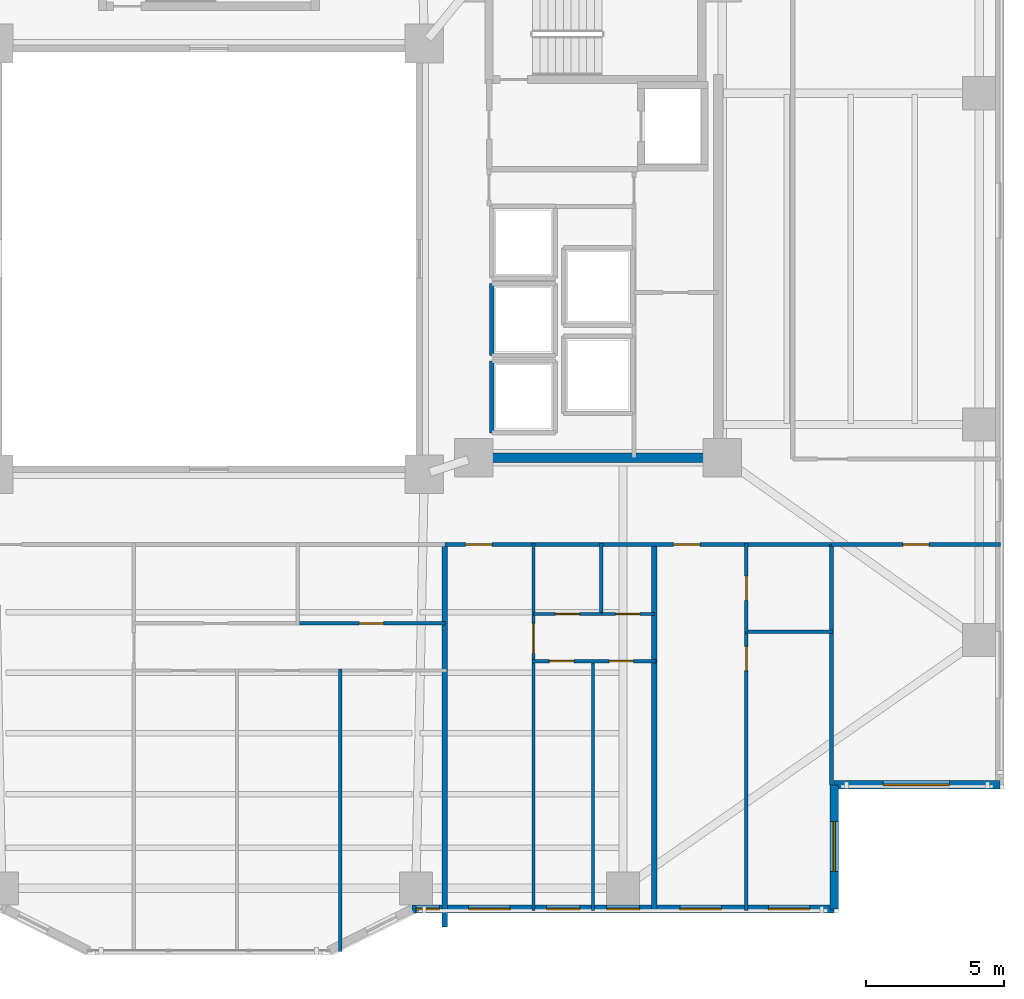
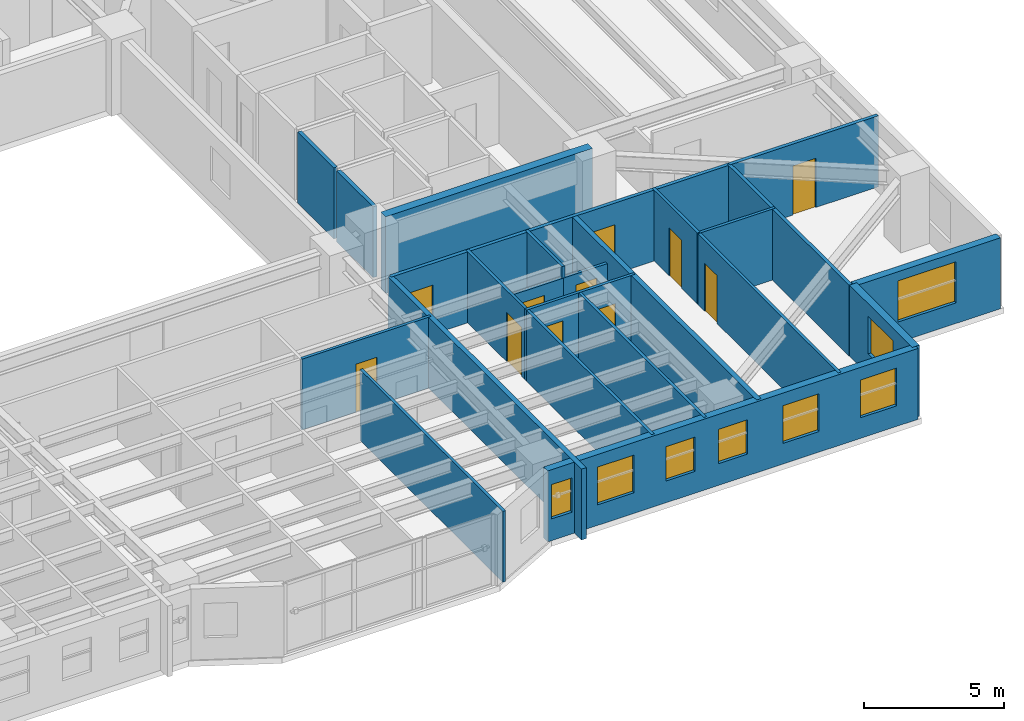
# One storey, part 12 of 21: 22 walls, 11 doors, 8 windows, 19 openings.
"""IFC4 building model written with IfcOpenShell, lengths in metres."""

from ifc_helpers import new_model, si_unit, direction, frame, frame_2d, origin, place, context, subcontext, project, spatial, rectangle, extrude, material, layer, layer_set, type_object, element, fill, save


model = new_model("IFC4")

# Units and contexts
model_context = context("Model", 3, precision=1e-05, world=origin(), true_north=direction((0.0, 1.0)))
body_context = subcontext(model_context, "Body", "Model", "MODEL_VIEW")
ifc_project = project(units=[si_unit("LENGTHUNIT", "METRE"), si_unit("AREAUNIT", "SQUARE_METRE"), si_unit("VOLUMEUNIT", "CUBIC_METRE"), si_unit("PLANEANGLEUNIT", "RADIAN"), si_unit("MASSUNIT", "GRAM", prefix="KILO")], contexts=[model_context])

# Site, building, storey
site_placement = place(None, origin())
site = spatial("IfcSite", under=ifc_project, at=site_placement, CompositionType="ELEMENT")
building_placement = place(site_placement, origin())
building = spatial("IfcBuilding", under=site, at=building_placement, Name="Tarnavaz Court Tower", CompositionType="ELEMENT")
storey_placement = place(building_placement, frame((0.0, 0.0, 37.39990234375)))
storey = spatial("IfcBuildingStorey", under=building, at=storey_placement, Name="L09", CompositionType="ELEMENT", Elevation=37.39990234375)

# Wall
ifc_material_1 = material(Name="Concrete C60/75", Category="concrete")
ifc_layer_1 = layer(ifc_material_1, 0.35009765625)
ifc_layer_set_1 = layer_set([ifc_layer_1], Name="Concrete C60/75")
wall_type_1 = type_object("IfcWallType", Name="WL-CORE-350-C60", PredefinedType="SHEAR", material=ifc_layer_set_1)
wall_1_placement = place(storey_placement, frame((10.074951171875, -7.199951171875, 0.0), z_axis=(0.0, 0.0, 1.0), x_axis=(1.0, 0.0, 0.0)))
element("IfcWall", 1, at=wall_1_placement, inside=storey, type_object=wall_type_1, Name="L09 East Core South Shear Wall 072", PredefinedType="SHEAR", context=body_context, shape_type="SweptSolid", body=[
    extrude(rectangle(XDim=8.550048828125, YDim=0.35009765625, at=frame_2d((4.27490234375, 0.0))), origin(), (0.0, 0.0, 1.0), 3.35009765625),
])

# Wall, opening, window
ifc_material_2 = material(Name="Precast Concrete C40/50", Category="concrete")
ifc_layer_2 = layer(ifc_material_2, 0.300048828125)
ifc_layer_set_2 = layer_set([ifc_layer_2], Name="Precast Concrete C40/50")
wall_type_2 = type_object("IfcWallType", Name="WL-EXT-300", PredefinedType="SOLIDWALL", material=ifc_layer_set_2)
wall_2_placement = place(storey_placement, frame((28.64990234375, -19.050048828125, 0.0), z_axis=(0.0, 0.0, 1.0), x_axis=(-1.0, 0.0, 0.0)))
wall_2 = element("IfcWall", 2, at=wall_2_placement, inside=storey, type_object=wall_type_2, Name="L09 Exterior Terracotta Facade Wall 13", PredefinedType="SOLIDWALL", context=body_context, shape_type="SweptSolid", body=[
    extrude(rectangle(XDim=6.0, YDim=0.300048828125, at=frame_2d((3.0, 0.0))), origin(), (0.0, 0.0, 1.0), 3.10009765625),
])
opening_1_placement = place(wall_2_placement, frame((1.824951171875, 0.0, 0.89990234375)))
opening_1 = element("IfcOpeningElement", 3, at=opening_1_placement, cuts=wall_2, Name="Opening W06", PredefinedType="OPENING", context=body_context, shape_type="SweptSolid", body=[
    extrude(rectangle(XDim=2.39990234375, YDim=1.800048828125, at=frame_2d((1.199951171875, 0.89990234375))), frame((0.0, 0.159912109375, 0.0), z_axis=(0.0, -1.0, 0.0), x_axis=(1.0, 0.0, 0.0)), (0.0, 0.0, 1.0), 0.320068359375),
])
ifc_material_3 = material(Name="Double-Glazed Solar Low-E Glass", Category="glass")
window_type_1 = type_object("IfcWindowType", Name="WN-APT-2400", PartitioningType="TRIPLE_PANEL_VERTICAL", PredefinedType="WINDOW", material=ifc_material_3)
window_1_placement = place(opening_1_placement, origin())
window_1 = element("IfcWindow", 4, at=window_1_placement, inside=storey, type_object=window_type_1, Name="L09 South-East Corner Reading Room Window", OverallHeight=1.800048828125, OverallWidth=2.39990234375, PartitioningType="SINGLE_PANEL", PredefinedType="WINDOW", context=body_context, shape_type="SweptSolid", body=[
    extrude(rectangle(XDim=2.39990234375, YDim=1.800048828125, at=frame_2d((1.199951171875, 0.89990234375))), frame((0.0, 0.030029296875, 0.0), z_axis=(0.0, -1.0, 0.0), x_axis=(1.0, 0.0, 0.0)), (0.0, 0.0, 1.0), 0.06005859375),
])
fill(opening_1, window_1)

wall_3_placement = place(storey_placement, frame((22.64990234375, -19.050048828125, 0.0), z_axis=(0.0, 0.0, 1.0), x_axis=(0.0, -1.0, 0.0)))
wall_3 = element("IfcWall", 5, at=wall_3_placement, inside=storey, type_object=wall_type_2, Name="L09 Exterior Terracotta Facade Wall 14", PredefinedType="SOLIDWALL", context=body_context, shape_type="SweptSolid", body=[
    extrude(rectangle(XDim=4.5, YDim=0.300048828125, at=frame_2d((2.25, 0.0))), origin(), (0.0, 0.0, 1.0), 3.10009765625),
])
opening_2_placement = place(wall_3_placement, frame((1.33251953125, 0.0, 0.89990234375)))
opening_2 = element("IfcOpeningElement", 6, at=opening_2_placement, cuts=wall_3, Name="Opening W01", PredefinedType="OPENING", context=body_context, shape_type="SweptSolid", body=[
    extrude(rectangle(XDim=1.800048828125, YDim=1.64990234375, at=frame_2d((0.89990234375, 0.824951171875))), frame((0.0, 0.159912109375, 0.0), z_axis=(0.0, -1.0, 0.0), x_axis=(1.0, 0.0, 0.0)), (0.0, 0.0, 1.0), 0.320068359375),
])
window_type_2 = type_object("IfcWindowType", Name="WN-APT-1800", PartitioningType="DOUBLE_PANEL_VERTICAL", PredefinedType="WINDOW", material=ifc_material_3)
window_2_placement = place(opening_2_placement, origin())
window_2 = element("IfcWindow", 7, at=window_2_placement, inside=storey, type_object=window_type_2, Name="L09 Flat 06 Kitchen Window", OverallHeight=1.64990234375, OverallWidth=1.800048828125, PartitioningType="SINGLE_PANEL", PredefinedType="WINDOW", context=body_context, shape_type="SweptSolid", body=[
    extrude(rectangle(XDim=1.800048828125, YDim=1.64990234375, at=frame_2d((0.89990234375, 0.824951171875))), frame((0.0, 0.030029296875, 0.0), z_axis=(0.0, -1.0, 0.0), x_axis=(1.0, 0.0, 0.0)), (0.0, 0.0, 1.0), 0.06005859375),
])
fill(opening_2, window_2)

# Wall, openings, windows
wall_4_placement = place(storey_placement, frame((22.64990234375, -23.550048828125, 0.0), z_axis=(0.0, 0.0, 1.0), x_axis=(-1.0, 0.0, 0.0)))
wall_4 = element("IfcWall", 8, at=wall_4_placement, inside=storey, type_object=wall_type_2, Name="L09 Exterior Terracotta Facade Wall 15", PredefinedType="SOLIDWALL", context=body_context, shape_type="SweptSolid", body=[
    extrude(rectangle(XDim=15.2998046875, YDim=0.300048828125, at=frame_2d((7.64990234375, 0.0))), origin(), (0.0, 0.0, 1.0), 3.10009765625),
])
opening_3_placement = place(wall_4_placement, frame((0.88037109375, 0.0, 0.89990234375)))
opening_3 = element("IfcOpeningElement", 9, at=opening_3_placement, cuts=wall_4, Name="Opening W03", PredefinedType="OPENING", context=body_context, shape_type="SweptSolid", body=[
    extrude(rectangle(XDim=1.5, YDim=1.64990234375, at=frame_2d((0.75, 0.824951171875))), frame((0.0, 0.159912109375, 0.0), z_axis=(0.0, -1.0, 0.0), x_axis=(1.0, 0.0, 0.0)), (0.0, 0.0, 1.0), 0.320068359375),
])
opening_4_placement = place(wall_4_placement, frame((4.0908203125, 0.0, 0.89990234375)))
opening_4 = element("IfcOpeningElement", 10, at=opening_4_placement, cuts=wall_4, Name="Opening W03", PredefinedType="OPENING", context=body_context, shape_type="SweptSolid", body=[
    extrude(rectangle(XDim=1.5, YDim=1.64990234375, at=frame_2d((0.75, 0.824951171875))), frame((0.0, 0.159912109375, 0.0), z_axis=(0.0, -1.0, 0.0), x_axis=(1.0, 0.0, 0.0)), (0.0, 0.0, 1.0), 0.320068359375),
])
opening_5_placement = place(wall_4_placement, frame((7.04541015625, 0.0, 0.949951171875)))
opening_5 = element("IfcOpeningElement", 11, at=opening_5_placement, cuts=wall_4, Name="Opening W05", PredefinedType="OPENING", context=body_context, shape_type="SweptSolid", body=[
    extrude(rectangle(XDim=1.199951171875, YDim=1.5, at=frame_2d((0.60009765625, 0.75))), frame((0.0, 0.159912109375, 0.0), z_axis=(0.0, -1.0, 0.0), x_axis=(1.0, 0.0, 0.0)), (0.0, 0.0, 1.0), 0.320068359375),
])
opening_6_placement = place(wall_4_placement, frame((9.2119140625, 0.0, 0.949951171875)))
opening_6 = element("IfcOpeningElement", 12, at=opening_6_placement, cuts=wall_4, Name="Opening W05", PredefinedType="OPENING", context=body_context, shape_type="SweptSolid", body=[
    extrude(rectangle(XDim=1.199951171875, YDim=1.5, at=frame_2d((0.60009765625, 0.75))), frame((0.0, 0.159912109375, 0.0), z_axis=(0.0, -1.0, 0.0), x_axis=(1.0, 0.0, 0.0)), (0.0, 0.0, 1.0), 0.320068359375),
])
opening_7_placement = place(wall_4_placement, frame((11.74072265625, 0.0, 0.89990234375)))
opening_7 = element("IfcOpeningElement", 13, at=opening_7_placement, cuts=wall_4, Name="Opening W03", PredefinedType="OPENING", context=body_context, shape_type="SweptSolid", body=[
    extrude(rectangle(XDim=1.5, YDim=1.64990234375, at=frame_2d((0.75, 0.824951171875))), frame((0.0, 0.159912109375, 0.0), z_axis=(0.0, -1.0, 0.0), x_axis=(1.0, 0.0, 0.0)), (0.0, 0.0, 1.0), 0.320068359375),
])
opening_8_placement = place(wall_4_placement, frame((14.30322265625, 0.0, 0.949951171875)))
opening_8 = element("IfcOpeningElement", 14, at=opening_8_placement, cuts=wall_4, Name="Opening W15", PredefinedType="OPENING", context=body_context, shape_type="SweptSolid", body=[
    extrude(rectangle(XDim=0.85009765625, YDim=1.5, at=frame_2d((0.425048828125, 0.75))), frame((0.0, 0.159912109375, 0.0), z_axis=(0.0, -1.0, 0.0), x_axis=(1.0, 0.0, 0.0)), (0.0, 0.0, 1.0), 0.320068359375),
])
window_type_3 = type_object("IfcWindowType", Name="WN-APT-1200", PartitioningType="SINGLE_PANEL", PredefinedType="WINDOW", material=ifc_material_3)
window_3_placement = place(opening_5_placement, origin())
window_3 = element("IfcWindow", 15, at=window_3_placement, inside=storey, type_object=window_type_3, Name="L09 Flat 05 Bedroom 2 Window", OverallHeight=1.5, OverallWidth=1.199951171875, PartitioningType="SINGLE_PANEL", PredefinedType="WINDOW", context=body_context, shape_type="SweptSolid", body=[
    extrude(rectangle(XDim=1.199951171875, YDim=1.5, at=frame_2d((0.60009765625, 0.75))), frame((0.0, 0.030029296875, 0.0), z_axis=(0.0, -1.0, 0.0), x_axis=(1.0, 0.0, 0.0)), (0.0, 0.0, 1.0), 0.06005859375),
])
fill(opening_5, window_3)
window_4_placement = place(opening_6_placement, origin())
window_4 = element("IfcWindow", 16, at=window_4_placement, inside=storey, type_object=window_type_3, Name="L09 Flat 05 Principal Bedroom Window", OverallHeight=1.5, OverallWidth=1.199951171875, PartitioningType="SINGLE_PANEL", PredefinedType="WINDOW", context=body_context, shape_type="SweptSolid", body=[
    extrude(rectangle(XDim=1.199951171875, YDim=1.5, at=frame_2d((0.60009765625, 0.75))), frame((0.0, 0.030029296875, 0.0), z_axis=(0.0, -1.0, 0.0), x_axis=(1.0, 0.0, 0.0)), (0.0, 0.0, 1.0), 0.06005859375),
])
fill(opening_6, window_4)
window_type_4 = type_object("IfcWindowType", Name="WN-APT-1500", PartitioningType="DOUBLE_PANEL_VERTICAL", PredefinedType="WINDOW", material=ifc_material_3)
window_5_placement = place(opening_3_placement, origin())
window_5 = element("IfcWindow", 17, at=window_5_placement, inside=storey, type_object=window_type_4, Name="L09 Flat 06 Kitchen Window", OverallHeight=1.64990234375, OverallWidth=1.5, PartitioningType="SINGLE_PANEL", PredefinedType="WINDOW", context=body_context, shape_type="SweptSolid", body=[
    extrude(rectangle(XDim=1.5, YDim=1.64990234375, at=frame_2d((0.75, 0.824951171875))), frame((0.0, 0.030029296875, 0.0), z_axis=(0.0, -1.0, 0.0), x_axis=(1.0, 0.0, 0.0)), (0.0, 0.0, 1.0), 0.06005859375),
])
fill(opening_3, window_5)
window_6_placement = place(opening_4_placement, origin())
window_6 = element("IfcWindow", 18, at=window_6_placement, inside=storey, type_object=window_type_4, Name="L09 Flat 06 Studio Living and Sleeping Room Window", OverallHeight=1.64990234375, OverallWidth=1.5, PartitioningType="SINGLE_PANEL", PredefinedType="WINDOW", context=body_context, shape_type="SweptSolid", body=[
    extrude(rectangle(XDim=1.5, YDim=1.64990234375, at=frame_2d((0.75, 0.824951171875))), frame((0.0, 0.030029296875, 0.0), z_axis=(0.0, -1.0, 0.0), x_axis=(1.0, 0.0, 0.0)), (0.0, 0.0, 1.0), 0.06005859375),
])
fill(opening_4, window_6)
window_7_placement = place(opening_7_placement, origin())
window_7 = element("IfcWindow", 19, at=window_7_placement, inside=storey, type_object=window_type_4, Name="L09 Flat 05 Living and Dining Room Window", OverallHeight=1.64990234375, OverallWidth=1.5, PartitioningType="SINGLE_PANEL", PredefinedType="WINDOW", context=body_context, shape_type="SweptSolid", body=[
    extrude(rectangle(XDim=1.5, YDim=1.64990234375, at=frame_2d((0.75, 0.824951171875))), frame((0.0, 0.030029296875, 0.0), z_axis=(0.0, -1.0, 0.0), x_axis=(1.0, 0.0, 0.0)), (0.0, 0.0, 1.0), 0.06005859375),
])
fill(opening_7, window_7)
window_type_5 = type_object("IfcWindowType", Name="WN-APT-850", PartitioningType="SINGLE_PANEL", PredefinedType="WINDOW", material=ifc_material_3)
window_8_placement = place(opening_8_placement, origin())
window_8 = element("IfcWindow", 20, at=window_8_placement, inside=storey, type_object=window_type_5, Name="L09 Flat 07 Bedroom 3 Window", OverallHeight=1.5, OverallWidth=0.85009765625, PartitioningType="SINGLE_PANEL", PredefinedType="WINDOW", context=body_context, shape_type="SweptSolid", body=[
    extrude(rectangle(XDim=0.85009765625, YDim=1.5, at=frame_2d((0.425048828125, 0.75))), frame((0.0, 0.030029296875, 0.0), z_axis=(0.0, -1.0, 0.0), x_axis=(1.0, 0.0, 0.0)), (0.0, 0.0, 1.0), 0.06005859375),
])
fill(opening_8, window_8)

# Wall, openings, doors
ifc_material_4 = material(Name="Gypsum Fire-Board on Acoustic Metal Stud", Category="masonry")
ifc_layer_3 = layer(ifc_material_4, 0.14990234375)
ifc_layer_set_3 = layer_set([ifc_layer_3], Name="Gypsum Fire-Board on Acoustic Metal Stud")
wall_type_3 = type_object("IfcWallType", Name="WL-FIRE-150", PredefinedType="PARTITIONING", material=ifc_layer_set_3)
wall_5_placement = place(storey_placement, frame((8.550048828125, -10.35009765625, 0.0), z_axis=(0.0, 0.0, 1.0), x_axis=(1.0, 0.0, 0.0)))
wall_5 = element("IfcWall", 21, at=wall_5_placement, inside=storey, type_object=wall_type_3, Name="L09 SE Corridor Wall 086", PredefinedType="PARTITIONING", context=body_context, shape_type="SweptSolid", body=[
    extrude(rectangle(XDim=14.0, YDim=0.14990234375, at=frame_2d((7.0, 0.0))), origin(), (0.0, 0.0, 1.0), 3.10009765625),
])
opening_9_placement = place(wall_5_placement, frame((0.75, 0.0, 0.0)))
opening_9 = element("IfcOpeningElement", 22, at=opening_9_placement, cuts=wall_5, Name="Opening D06", PredefinedType="OPENING", context=body_context, shape_type="SweptSolid", body=[
    extrude(rectangle(XDim=0.9599609375, YDim=2.14990234375, at=frame_2d((0.47998046875, 1.074951171875))), frame((0.0, 0.0849609375, 0.0), z_axis=(0.0, -1.0, 0.0), x_axis=(1.0, 0.0, 0.0)), (0.0, 0.0, 1.0), 0.169921875),
])
opening_10_placement = place(wall_5_placement, frame((8.282958984375, 0.0, 0.0)))
opening_10 = element("IfcOpeningElement", 23, at=opening_10_placement, cuts=wall_5, Name="Opening D06", PredefinedType="OPENING", context=body_context, shape_type="SweptSolid", body=[
    extrude(rectangle(XDim=0.9599609375, YDim=2.14990234375, at=frame_2d((0.47998046875, 1.074951171875))), frame((0.0, 0.0849609375, 0.0), z_axis=(0.0, -1.0, 0.0), x_axis=(1.0, 0.0, 0.0)), (0.0, 0.0, 1.0), 0.169921875),
])
ifc_material_5 = material(Name="Fire-Rated Hardwood Timber Core", Category="wood")
door_type_1 = type_object("IfcDoorType", Name="DR-FD60-950", OperationType="NOTDEFINED", PredefinedType="DOOR", material=ifc_material_5)
door_1_placement = place(opening_9_placement, origin())
door_1 = element("IfcDoor", 24, at=door_1_placement, inside=storey, type_object=door_type_1, Name="L09 Flat 05 Entrance Door", OperationType="SINGLE_SWING_RIGHT", OverallHeight=2.14990234375, OverallWidth=0.9599609375, PredefinedType="DOOR", context=body_context, shape_type="SweptSolid", body=[
    extrude(rectangle(XDim=0.9599609375, YDim=2.14990234375, at=frame_2d((0.47998046875, 1.074951171875))), frame((0.0, 0.02490234375, 0.0), z_axis=(0.0, -1.0, 0.0), x_axis=(1.0, 0.0, 0.0)), (0.0, 0.0, 1.0), 0.050048828125),
])
fill(opening_9, door_1)
door_2_placement = place(opening_10_placement, origin())
door_2 = element("IfcDoor", 25, at=door_2_placement, inside=storey, type_object=door_type_1, Name="L09 Flat 06 Entrance Door", OperationType="SINGLE_SWING_RIGHT", OverallHeight=2.14990234375, OverallWidth=0.9599609375, PredefinedType="DOOR", context=body_context, shape_type="SweptSolid", body=[
    extrude(rectangle(XDim=0.9599609375, YDim=2.14990234375, at=frame_2d((0.47998046875, 1.074951171875))), frame((0.0, 0.02490234375, 0.0), z_axis=(0.0, -1.0, 0.0), x_axis=(1.0, 0.0, 0.0)), (0.0, 0.0, 1.0), 0.050048828125),
])
fill(opening_10, door_2)

# Wall, opening, door
wall_6_placement = place(storey_placement, frame((22.550048828125, -10.35009765625, 0.0), z_axis=(0.0, 0.0, 1.0), x_axis=(1.0, 0.0, 0.0)))
wall_6 = element("IfcWall", 26, at=wall_6_placement, inside=storey, type_object=wall_type_3, Name="L09 Interior Partition 144", PredefinedType="PARTITIONING", context=body_context, shape_type="SweptSolid", body=[
    extrude(rectangle(XDim=6.1298828125, YDim=0.14990234375, at=frame_2d((3.06494140625, 0.0))), origin(), (0.0, 0.0, 1.0), 3.10009765625),
])
opening_11_placement = place(wall_6_placement, frame((2.590087890625, 0.0, 0.0)))
opening_11 = element("IfcOpeningElement", 27, at=opening_11_placement, cuts=wall_6, Name="Opening D13", PredefinedType="OPENING", context=body_context, shape_type="SweptSolid", body=[
    extrude(rectangle(XDim=0.949951171875, YDim=2.14990234375, at=frame_2d((0.47509765625, 1.074951171875))), frame((0.0, 0.0849609375, 0.0), z_axis=(0.0, -1.0, 0.0), x_axis=(1.0, 0.0, 0.0)), (0.0, 0.0, 1.0), 0.169921875),
])
ifc_material_6 = material(Name="Engineered Oak Timber", Category="wood")
door_type_2 = type_object("IfcDoorType", Name="DR-INT-950", OperationType="NOTDEFINED", PredefinedType="DOOR", material=ifc_material_6)
door_3_placement = place(opening_11_placement, origin())
door_3 = element("IfcDoor", 28, at=door_3_placement, inside=storey, type_object=door_type_2, Name="L09 SE Reading Room Door", OperationType="SINGLE_SWING_LEFT", OverallHeight=2.14990234375, OverallWidth=0.949951171875, PredefinedType="DOOR", context=body_context, shape_type="SweptSolid", body=[
    extrude(rectangle(XDim=0.949951171875, YDim=2.14990234375, at=frame_2d((0.47509765625, 1.074951171875))), frame((0.0, 0.02490234375, 0.0), z_axis=(0.0, -1.0, 0.0), x_axis=(1.0, 0.0, 0.0)), (0.0, 0.0, 1.0), 0.050048828125),
])
fill(opening_11, door_3)

# Walls
ifc_material_7 = material(Name="Autoclaved Aerated Concrete Blockwork", Category="masonry")
ifc_layer_4 = layer(ifc_material_7, 0.199951171875)
ifc_layer_set_4 = layer_set([ifc_layer_4], Name="Autoclaved Aerated Concrete Blockwork")
wall_type_4 = type_object("IfcWallType", Name="WL-FIRE-200", PredefinedType="SOLIDWALL", material=ifc_layer_set_4)
wall_7_placement = place(storey_placement, frame((16.133056640625, -23.60009765625, 0.0), z_axis=(0.0, 0.0, 1.0), x_axis=(0.0, 1.0, 0.0)))
element("IfcWall", 29, at=wall_7_placement, inside=storey, type_object=wall_type_4, Name="L09 Party Wall 114", PredefinedType="SOLIDWALL", context=body_context, shape_type="SweptSolid", body=[
    extrude(rectangle(XDim=13.25, YDim=0.199951171875, at=frame_2d((6.625, 0.0))), origin(), (0.0, 0.0, 1.0), 3.10009765625),
])
wall_8_placement = place(storey_placement, frame((8.550048828125, -24.2041015625, 0.0), z_axis=(0.0, 0.0, 1.0), x_axis=(0.0, 1.0, 0.0)))
element("IfcWall", 30, at=wall_8_placement, inside=storey, type_object=wall_type_4, Name="L09 Party Wall 125", PredefinedType="SOLIDWALL", context=body_context, shape_type="SweptSolid", body=[
    extrude(rectangle(XDim=13.85400390625, YDim=0.199951171875, at=frame_2d((6.927001953125, 0.0))), origin(), (0.0, 0.0, 1.0), 3.10009765625),
])

# Wall, opening, door
ifc_material_8 = material(Name="Moisture-Resistant Gypsum Board Partition", Category="masonry")
ifc_layer_5 = layer(ifc_material_8, 0.1201171875)
ifc_layer_set_5 = layer_set([ifc_layer_5], Name="Moisture-Resistant Gypsum Board Partition")
wall_type_5 = type_object("IfcWallType", Name="WL-PART-120", PredefinedType="PARTITIONING", material=ifc_layer_set_5)
wall_9_placement = place(storey_placement, frame((11.760009765625, -23.60009765625, 0.0), z_axis=(0.0, 0.0, 1.0), x_axis=(0.0, 1.0, 0.0)))
wall_9 = element("IfcWall", 31, at=wall_9_placement, inside=storey, type_object=wall_type_5, Name="L09 Interior Partition 115", PredefinedType="PARTITIONING", context=body_context, shape_type="SweptSolid", body=[
    extrude(rectangle(XDim=13.31005859375, YDim=0.1201171875, at=frame_2d((6.655029296875, 0.0))), origin(), (0.0, 0.0, 1.0), 3.10009765625),
])
opening_12_placement = place(wall_9_placement, frame((9.31494140625, 0.0, 0.0)))
opening_12 = element("IfcOpeningElement", 32, at=opening_12_placement, cuts=wall_9, Name="Opening D12", PredefinedType="OPENING", context=body_context, shape_type="SweptSolid", body=[
    extrude(rectangle(XDim=1.080078125, YDim=2.14990234375, at=frame_2d((0.5400390625, 1.074951171875))), frame((0.0, 0.070068359375, 0.0), z_axis=(0.0, -1.0, 0.0), x_axis=(1.0, 0.0, 0.0)), (0.0, 0.0, 1.0), 0.14013671875),
])
door_type_3 = type_object("IfcDoorType", Name="DR-INT-1100", OperationType="NOTDEFINED", PredefinedType="DOOR", material=ifc_material_6)
door_4_placement = place(opening_12_placement, origin())
door_4 = element("IfcDoor", 33, at=door_4_placement, inside=storey, type_object=door_type_3, Name="L09 Flat 05 Foyer Door", OperationType="SINGLE_SWING_LEFT", OverallHeight=2.14990234375, OverallWidth=1.080078125, PredefinedType="DOOR", context=body_context, shape_type="SweptSolid", body=[
    extrude(rectangle(XDim=1.080078125, YDim=2.14990234375, at=frame_2d((0.5400390625, 1.074951171875))), frame((0.0, 0.02490234375, 0.0), z_axis=(0.0, -1.0, 0.0), x_axis=(1.0, 0.0, 0.0)), (0.0, 0.0, 1.0), 0.050048828125),
])
fill(opening_12, door_4)

wall_10_placement = place(storey_placement, frame((11.760009765625, -12.860107421875, 0.0), z_axis=(0.0, 0.0, 1.0), x_axis=(1.0, 0.0, 0.0)))
wall_10 = element("IfcWall", 34, at=wall_10_placement, inside=storey, type_object=wall_type_5, Name="L09 Interior Partition 116", PredefinedType="PARTITIONING", context=body_context, shape_type="SweptSolid", body=[
    extrude(rectangle(XDim=2.4580078125, YDim=0.1201171875, at=frame_2d((1.22900390625, 0.0))), origin(), (0.0, 0.0, 1.0), 2.585205078125),
])
opening_13_placement = place(wall_10_placement, frame((0.7890625, 0.0, 0.0)))
opening_13 = element("IfcOpeningElement", 35, at=opening_13_placement, cuts=wall_10, Name="Opening D14", PredefinedType="OPENING", context=body_context, shape_type="SweptSolid", body=[
    extrude(rectangle(XDim=0.8798828125, YDim=2.10009765625, at=frame_2d((0.43994140625, 1.050048828125))), frame((0.0, 0.070068359375, 0.0), z_axis=(0.0, -1.0, 0.0), x_axis=(1.0, 0.0, 0.0)), (0.0, 0.0, 1.0), 0.14013671875),
])
door_type_4 = type_object("IfcDoorType", Name="DR-INT-900", OperationType="NOTDEFINED", PredefinedType="DOOR", material=ifc_material_6)
door_5_placement = place(opening_13_placement, origin())
door_5 = element("IfcDoor", 36, at=door_5_placement, inside=storey, type_object=door_type_4, Name="L09 Flat 05 Kitchen Door", OperationType="SINGLE_SWING_RIGHT", OverallHeight=2.10009765625, OverallWidth=0.8798828125, PredefinedType="DOOR", context=body_context, shape_type="SweptSolid", body=[
    extrude(rectangle(XDim=0.8798828125, YDim=2.10009765625, at=frame_2d((0.43994140625, 1.050048828125))), frame((0.0, 0.02490234375, 0.0), z_axis=(0.0, -1.0, 0.0), x_axis=(1.0, 0.0, 0.0)), (0.0, 0.0, 1.0), 0.050048828125),
])
fill(opening_13, door_5)

wall_11_placement = place(storey_placement, frame((14.218017578125, -12.860107421875, 0.0), z_axis=(0.0, 0.0, 1.0), x_axis=(1.0, 0.0, 0.0)))
wall_11 = element("IfcWall", 37, at=wall_11_placement, inside=storey, type_object=wall_type_5, Name="L09 Interior Partition 117", PredefinedType="PARTITIONING", context=body_context, shape_type="SweptSolid", body=[
    extrude(rectangle(XDim=1.9150390625, YDim=0.1201171875, at=frame_2d((0.95751953125, 0.0))), origin(), (0.0, 0.0, 1.0), 2.585205078125),
])
opening_14_placement = place(wall_11_placement, frame((0.51708984375, 0.0, 0.0)))
opening_14 = element("IfcOpeningElement", 38, at=opening_14_placement, cuts=wall_11, Name="Opening D14", PredefinedType="OPENING", context=body_context, shape_type="SweptSolid", body=[
    extrude(rectangle(XDim=0.8798828125, YDim=2.10009765625, at=frame_2d((0.43994140625, 1.050048828125))), frame((0.0, 0.070068359375, 0.0), z_axis=(0.0, -1.0, 0.0), x_axis=(1.0, 0.0, 0.0)), (0.0, 0.0, 1.0), 0.14013671875),
])
door_6_placement = place(opening_14_placement, origin())
door_6 = element("IfcDoor", 39, at=door_6_placement, inside=storey, type_object=door_type_4, Name="L09 Flat 05 Bathroom Door", OperationType="SINGLE_SWING_LEFT", OverallHeight=2.10009765625, OverallWidth=0.8798828125, PredefinedType="DOOR", context=body_context, shape_type="SweptSolid", body=[
    extrude(rectangle(XDim=0.8798828125, YDim=2.10009765625, at=frame_2d((0.43994140625, 1.050048828125))), frame((0.0, 0.02490234375, 0.0), z_axis=(0.0, -1.0, 0.0), x_axis=(1.0, 0.0, 0.0)), (0.0, 0.0, 1.0), 0.050048828125),
])
fill(opening_14, door_6)

# Wall, openings, doors
wall_12_placement = place(storey_placement, frame((11.699951171875, -14.570068359375, 0.0), z_axis=(0.0, 0.0, 1.0), x_axis=(1.0, 0.0, 0.0)))
wall_12 = element("IfcWall", 40, at=wall_12_placement, inside=storey, type_object=wall_type_5, Name="L09 Interior Partition 118", PredefinedType="PARTITIONING", context=body_context, shape_type="SweptSolid", body=[
    extrude(rectangle(XDim=4.4931640625, YDim=0.1201171875, at=frame_2d((2.24658203125, 0.0))), origin(), (0.0, 0.0, 1.0), 3.10009765625),
])
opening_15_placement = place(wall_12_placement, frame((0.637939453125, 0.0, 0.0)))
opening_15 = element("IfcOpeningElement", 41, at=opening_15_placement, cuts=wall_12, Name="Opening D14", PredefinedType="OPENING", context=body_context, shape_type="SweptSolid", body=[
    extrude(rectangle(XDim=0.8798828125, YDim=2.10009765625, at=frame_2d((0.43994140625, 1.050048828125))), frame((0.0, 0.070068359375, 0.0), z_axis=(0.0, -1.0, 0.0), x_axis=(1.0, 0.0, 0.0)), (0.0, 0.0, 1.0), 0.14013671875),
])
opening_16_placement = place(wall_12_placement, frame((2.794921875, 0.0, 0.0)))
opening_16 = element("IfcOpeningElement", 42, at=opening_16_placement, cuts=wall_12, Name="Opening D14", PredefinedType="OPENING", context=body_context, shape_type="SweptSolid", body=[
    extrude(rectangle(XDim=0.8798828125, YDim=2.10009765625, at=frame_2d((0.43994140625, 1.050048828125))), frame((0.0, 0.070068359375, 0.0), z_axis=(0.0, -1.0, 0.0), x_axis=(1.0, 0.0, 0.0)), (0.0, 0.0, 1.0), 0.14013671875),
])
door_7_placement = place(opening_15_placement, origin())
door_7 = element("IfcDoor", 43, at=door_7_placement, inside=storey, type_object=door_type_4, Name="L09 Flat 05 Bedroom 1 Door", OperationType="SINGLE_SWING_RIGHT", OverallHeight=2.10009765625, OverallWidth=0.8798828125, PredefinedType="DOOR", context=body_context, shape_type="SweptSolid", body=[
    extrude(rectangle(XDim=0.8798828125, YDim=2.10009765625, at=frame_2d((0.43994140625, 1.050048828125))), frame((0.0, 0.02490234375, 0.0), z_axis=(0.0, -1.0, 0.0), x_axis=(1.0, 0.0, 0.0)), (0.0, 0.0, 1.0), 0.050048828125),
])
fill(opening_15, door_7)
door_8_placement = place(opening_16_placement, origin())
door_8 = element("IfcDoor", 44, at=door_8_placement, inside=storey, type_object=door_type_4, Name="L09 Flat 05 Bedroom 2 Door", OperationType="SINGLE_SWING_LEFT", OverallHeight=2.10009765625, OverallWidth=0.8798828125, PredefinedType="DOOR", context=body_context, shape_type="SweptSolid", body=[
    extrude(rectangle(XDim=0.8798828125, YDim=2.10009765625, at=frame_2d((0.43994140625, 1.050048828125))), frame((0.0, 0.02490234375, 0.0), z_axis=(0.0, -1.0, 0.0), x_axis=(1.0, 0.0, 0.0)), (0.0, 0.0, 1.0), 0.050048828125),
])
fill(opening_16, door_8)

# Walls
wall_13_placement = place(storey_placement, frame((14.218017578125, -12.919921875, 0.0), z_axis=(0.0, 0.0, 1.0), x_axis=(0.0, 1.0, 0.0)))
element("IfcWall", 45, at=wall_13_placement, inside=storey, type_object=wall_type_5, Name="L09 Interior Partition 119", PredefinedType="PARTITIONING", context=body_context, shape_type="SweptSolid", body=[
    extrude(rectangle(XDim=2.6298828125, YDim=0.1201171875, at=frame_2d((1.31494140625, 0.0))), origin(), (0.0, 0.0, 1.0), 3.10009765625),
])
wall_14_placement = place(storey_placement, frame((13.916015625, -23.60009765625, 0.0), z_axis=(0.0, 0.0, 1.0), x_axis=(0.0, 1.0, 0.0)))
element("IfcWall", 46, at=wall_14_placement, inside=storey, type_object=wall_type_5, Name="L09 Interior Partition 120", PredefinedType="PARTITIONING", context=body_context, shape_type="SweptSolid", body=[
    extrude(rectangle(XDim=9.090087890625, YDim=0.1201171875, at=frame_2d((4.544921875, 0.0))), origin(), (0.0, 0.0, 1.0), 3.10009765625),
])

# Wall, opening, door
wall_15_placement = place(storey_placement, frame((19.467041015625, -23.60009765625, 0.0), z_axis=(0.0, 0.0, 1.0), x_axis=(0.0, 1.0, 0.0)))
wall_15 = element("IfcWall", 47, at=wall_15_placement, inside=storey, type_object=wall_type_5, Name="L09 Interior Partition 121", PredefinedType="PARTITIONING", context=body_context, shape_type="SweptSolid", body=[
    extrude(rectangle(XDim=10.090087890625, YDim=0.1201171875, at=frame_2d((5.044921875, 0.0))), origin(), (0.0, 0.0, 1.0), 3.10009765625),
])
opening_17_placement = place(wall_15_placement, frame((8.68994140625, 0.0, 0.0)))
opening_17 = element("IfcOpeningElement", 48, at=opening_17_placement, cuts=wall_15, Name="Opening D14", PredefinedType="OPENING", context=body_context, shape_type="SweptSolid", body=[
    extrude(rectangle(XDim=0.8798828125, YDim=2.10009765625, at=frame_2d((0.43994140625, 1.050048828125))), frame((0.0, 0.070068359375, 0.0), z_axis=(0.0, -1.0, 0.0), x_axis=(1.0, 0.0, 0.0)), (0.0, 0.0, 1.0), 0.14013671875),
])
door_9_placement = place(opening_17_placement, origin())
door_9 = element("IfcDoor", 49, at=door_9_placement, inside=storey, type_object=door_type_4, Name="L09 Flat 06 Kitchen Door", OperationType="SINGLE_SWING_LEFT", OverallHeight=2.10009765625, OverallWidth=0.8798828125, PredefinedType="DOOR", context=body_context, shape_type="SweptSolid", body=[
    extrude(rectangle(XDim=0.8798828125, YDim=2.10009765625, at=frame_2d((0.43994140625, 1.050048828125))), frame((0.0, 0.02490234375, 0.0), z_axis=(0.0, -1.0, 0.0), x_axis=(1.0, 0.0, 0.0)), (0.0, 0.0, 1.0), 0.050048828125),
])
fill(opening_17, door_9)

wall_16_placement = place(storey_placement, frame((19.467041015625, -13.510009765625, 0.0), z_axis=(0.0, 0.0, 1.0), x_axis=(0.0, 1.0, 0.0)))
wall_16 = element("IfcWall", 50, at=wall_16_placement, inside=storey, type_object=wall_type_5, Name="L09 Interior Partition 122", PredefinedType="PARTITIONING", context=body_context, shape_type="SweptSolid", body=[
    extrude(rectangle(XDim=3.219970703125, YDim=0.1201171875, at=frame_2d((1.60986328125, 0.0))), origin(), (0.0, 0.0, 1.0), 3.10009765625),
])
opening_18_placement = place(wall_16_placement, frame((1.139892578125, 0.0, 0.0)))
opening_18 = element("IfcOpeningElement", 51, at=opening_18_placement, cuts=wall_16, Name="Opening D14", PredefinedType="OPENING", context=body_context, shape_type="SweptSolid", body=[
    extrude(rectangle(XDim=0.8798828125, YDim=2.10009765625, at=frame_2d((0.43994140625, 1.050048828125))), frame((0.0, 0.070068359375, 0.0), z_axis=(0.0, -1.0, 0.0), x_axis=(1.0, 0.0, 0.0)), (0.0, 0.0, 1.0), 0.14013671875),
])
door_10_placement = place(opening_18_placement, origin())
door_10 = element("IfcDoor", 52, at=door_10_placement, inside=storey, type_object=door_type_4, Name="L09 Flat 06 Bathroom Door", OperationType="SINGLE_SWING_RIGHT", OverallHeight=2.10009765625, OverallWidth=0.8798828125, PredefinedType="DOOR", context=body_context, shape_type="SweptSolid", body=[
    extrude(rectangle(XDim=0.8798828125, YDim=2.10009765625, at=frame_2d((0.43994140625, 1.050048828125))), frame((0.0, 0.02490234375, 0.0), z_axis=(0.0, -1.0, 0.0), x_axis=(1.0, 0.0, 0.0)), (0.0, 0.0, 1.0), 0.050048828125),
])
fill(opening_18, door_10)

# Wall
wall_17_placement = place(storey_placement, frame((19.406982421875, -13.510009765625, 0.0), z_axis=(0.0, 0.0, 1.0), x_axis=(1.0, 0.0, 0.0)))
element("IfcWall", 53, at=wall_17_placement, inside=storey, type_object=wall_type_5, Name="L09 Interior Partition 123", PredefinedType="PARTITIONING", context=body_context, shape_type="SweptSolid", body=[
    extrude(rectangle(XDim=3.203125, YDim=0.1201171875, at=frame_2d((1.6015625, 0.0))), origin(), (0.0, 0.0, 1.0), 3.10009765625),
])

# Wall, opening, door
wall_18_placement = place(storey_placement, frame((3.222900390625, -13.199951171875, 0.0), z_axis=(0.0, 0.0, 1.0), x_axis=(1.0, 0.0, 0.0)))
wall_18 = element("IfcWall", 54, at=wall_18_placement, inside=storey, type_object=wall_type_5, Name="L09 Interior Partition 128", PredefinedType="PARTITIONING", context=body_context, shape_type="SweptSolid", body=[
    extrude(rectangle(XDim=5.3271484375, YDim=0.1201171875, at=frame_2d((2.66357421875, 0.0))), origin(), (0.0, 0.0, 1.0), 3.10009765625),
])
opening_19_placement = place(wall_18_placement, frame((2.22412109375, 0.0, 0.0)))
opening_19 = element("IfcOpeningElement", 55, at=opening_19_placement, cuts=wall_18, Name="Opening D14", PredefinedType="OPENING", context=body_context, shape_type="SweptSolid", body=[
    extrude(rectangle(XDim=0.8798828125, YDim=2.10009765625, at=frame_2d((0.43994140625, 1.050048828125))), frame((0.0, 0.070068359375, 0.0), z_axis=(0.0, -1.0, 0.0), x_axis=(1.0, 0.0, 0.0)), (0.0, 0.0, 1.0), 0.14013671875),
])
door_11_placement = place(opening_19_placement, origin())
door_11 = element("IfcDoor", 56, at=door_11_placement, inside=storey, type_object=door_type_4, Name="L09 Flat 07 Bathroom Door", OperationType="SINGLE_SWING_RIGHT", OverallHeight=2.10009765625, OverallWidth=0.8798828125, PredefinedType="DOOR", context=body_context, shape_type="SweptSolid", body=[
    extrude(rectangle(XDim=0.8798828125, YDim=2.10009765625, at=frame_2d((0.43994140625, 1.050048828125))), frame((0.0, 0.02490234375, 0.0), z_axis=(0.0, -1.0, 0.0), x_axis=(1.0, 0.0, 0.0)), (0.0, 0.0, 1.0), 0.050048828125),
])
fill(opening_19, door_11)

# Walls
wall_19_placement = place(storey_placement, frame((4.75390625, -25.080078125, 0.0), z_axis=(0.0, 0.0, 1.0), x_axis=(0.0, 1.0, 0.0)))
element("IfcWall", 57, at=wall_19_placement, inside=storey, type_object=wall_type_5, Name="L09 Interior Partition 132", PredefinedType="PARTITIONING", context=body_context, shape_type="SweptSolid", body=[
    extrude(rectangle(XDim=10.22998046875, YDim=0.1201171875, at=frame_2d((5.114990234375, 0.0))), origin(), (0.0, 0.0, 1.0), 3.10009765625),
])
ifc_material_9 = material(Name="Gypsum Plasterboard Acoustic Partition", Category="masonry")
ifc_layer_6 = layer(ifc_material_9, 0.139892578125)
ifc_layer_set_6 = layer_set([ifc_layer_6], Name="Gypsum Plasterboard Acoustic Partition")
wall_type_6 = type_object("IfcWallType", Name="WL-PART-150", PredefinedType="PARTITIONING", material=ifc_layer_set_6)
wall_20_placement = place(storey_placement, frame((22.550048828125, -19.050048828125, 0.0), z_axis=(0.0, 0.0, 1.0), x_axis=(0.0, 1.0, 0.0)))
element("IfcWall", 58, at=wall_20_placement, inside=storey, type_object=wall_type_6, Name="L09 Interior Partition 138", PredefinedType="PARTITIONING", context=body_context, shape_type="SweptSolid", body=[
    extrude(rectangle(XDim=8.699951171875, YDim=0.139892578125, at=frame_2d((4.35009765625, 0.0))), origin(), (0.0, 0.0, 1.0), 3.10009765625),
])
ifc_layer_7 = layer(ifc_material_7, 0.159912109375)
ifc_layer_set_7 = layer_set([ifc_layer_7], Name="Autoclaved Aerated Concrete Blockwork")
wall_type_7 = type_object("IfcWallType", Name="WL-SHAFT-150", PredefinedType="SOLIDWALL", material=ifc_layer_set_7)
for number, where, z_axis, x_axis, name in (
    (59, (10.25, -6.300048828125, 0.0), (0.0, 0.0, 1.0), (0.0, 1.0, 0.0), "L09 Lift PL-M1 Shaft Wall 049"),
    (60, (10.25, -3.5, 0.0), (0.0, 0.0, 1.0), (0.0, 1.0, 0.0), "L09 Lift PL-M2 Shaft Wall 053"),
):
    element("IfcWall", number, at=place(storey_placement, frame(where, z_axis=z_axis, x_axis=x_axis)), inside=storey, type_object=wall_type_7, Name=name, PredefinedType="SOLIDWALL", context=body_context, shape_type="SweptSolid", body=[
        extrude(rectangle(XDim=2.60009765625, YDim=0.159912109375, at=frame_2d((1.300048828125, 0.0))), origin(), (0.0, 0.0, 1.0), 3.10009765625),
    ])

save(model, "model.ifc")
